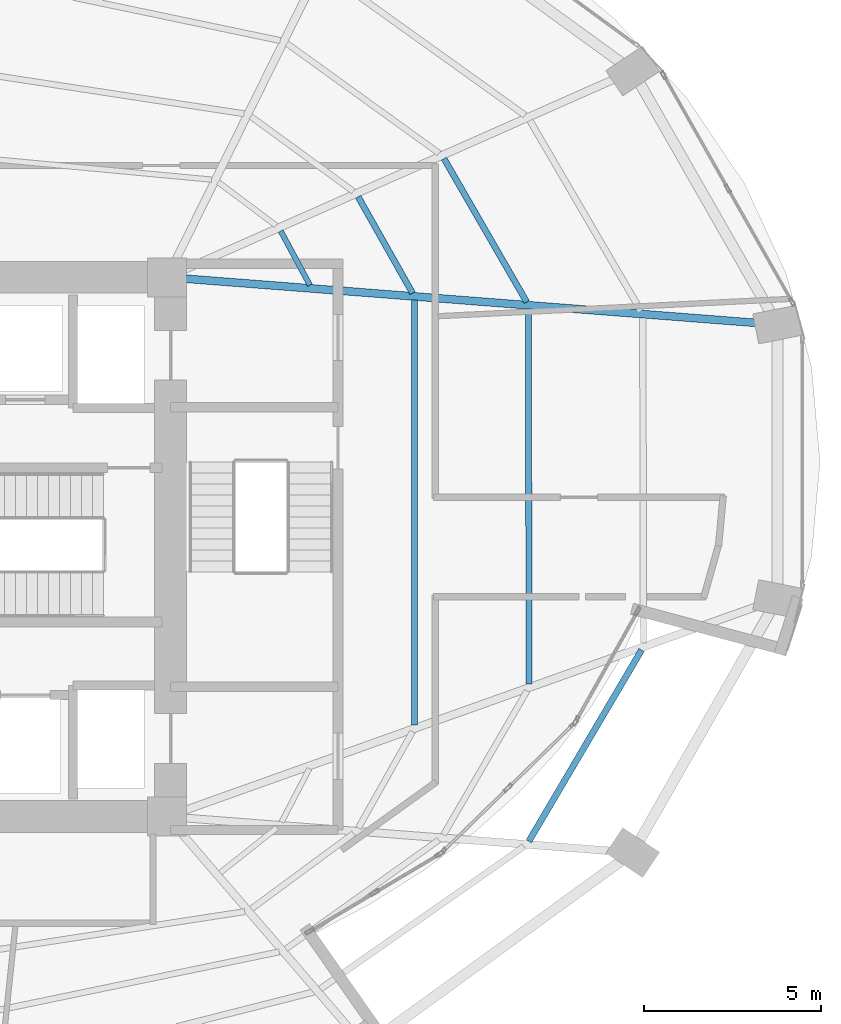
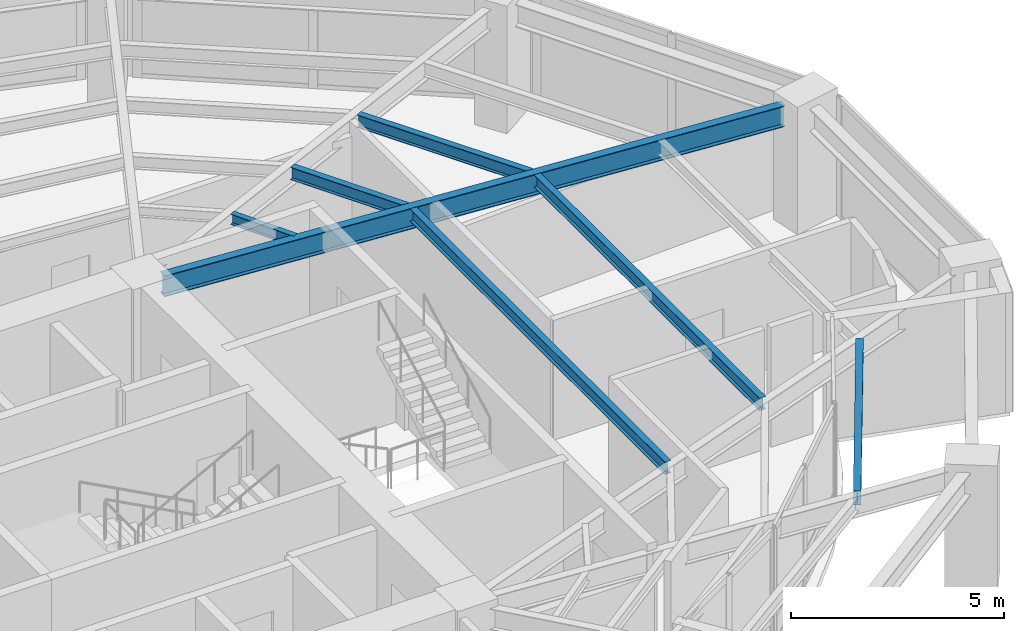
# One storey, part 11 of 24: 7 beams.
"""IFC4 building model written with IfcOpenShell, lengths in metres."""

from ifc_helpers import new_model, si_unit, direction, frame, origin, origin_2d, place, context, subcontext, project, spatial, i_section, extrude, material, material_profile, profile_set, type_object, element, save


model = new_model("IFC4")

# Units and contexts
model_context = context("Model", 3, precision=1e-05, world=origin(), true_north=direction((0.0, 1.0)))
body_context = subcontext(model_context, "Body", "Model", "MODEL_VIEW")
ifc_project = project(units=[si_unit("LENGTHUNIT", "METRE"), si_unit("AREAUNIT", "SQUARE_METRE"), si_unit("VOLUMEUNIT", "CUBIC_METRE"), si_unit("PLANEANGLEUNIT", "RADIAN"), si_unit("MASSUNIT", "GRAM", prefix="KILO")], contexts=[model_context])

# Site, building, storey
site_placement = place(None, origin())
site = spatial("IfcSite", under=ifc_project, at=site_placement, CompositionType="ELEMENT")
building_placement = place(site_placement, origin())
building = spatial("IfcBuilding", under=site, at=building_placement, Name="Lazwardi Medical Tower", CompositionType="ELEMENT")
storey_placement = place(building_placement, frame((0.0, 0.0, 65.327880859375)))
storey = spatial("IfcBuildingStorey", under=building, at=storey_placement, Name="L16", CompositionType="ELEMENT", Elevation=65.327880859375)

# Beams
ifc_material = material(Name="Steel S355", Category="steel")
ifc_material_profile_1 = material_profile(ifc_material, i_section(OverallWidth=0.219970703125, OverallDepth=0.60009765625, WebThickness=0.011962890625, FlangeThickness=0.01904296875, at=origin_2d()), Name="IPE 600")
ifc_profile_set_1 = profile_set([ifc_material_profile_1], Name="Steel S355")
beam_type_1 = type_object("IfcBeamType", Name="BM-RG-W1", PredefinedType="BEAM", material=ifc_profile_set_1)
beam_1_placement = place(storey_placement, frame((62.2216796875, 34.3125, 3.128173828125), z_axis=(-0.997013942066, 0.077221754231, 0.0), x_axis=(-0.077221754231, -0.997013942066, 0.0)))
element("IfcBeam", 1, at=beam_1_placement, inside=storey, type_object=beam_type_1, Name="Radial girder RG-02 R05 L16", PredefinedType="BEAM", context=body_context, shape_type="SweptSolid", body=[
    extrude(i_section(OverallWidth=0.219970703125, OverallDepth=0.60009765625, WebThickness=0.011962890625, FlangeThickness=0.01904296875, at=origin_2d()), origin(), (0.0, 0.0, 1.0), 16.136474609375),
])
ifc_material_profile_2 = material_profile(ifc_material, i_section(OverallWidth=0.179931640625, OverallDepth=0.39990234375, WebThickness=0.008544921875, FlangeThickness=0.013427734375, at=origin_2d()), Name="IPE 400")
ifc_profile_set_2 = profile_set([ifc_material_profile_2], Name="Steel S355")
beam_type_2 = type_object("IfcBeamType", Name="BM-SJ-01", PredefinedType="JOIST", material=ifc_profile_set_2)
beam_2_placement = place(storey_placement, frame((55.793212890625, 19.70654296875, 3.22802734375), z_axis=(0.507886270937, 0.861424132349, 0.0), x_axis=(-0.861424132349, 0.507886270937, 0.0)))
element("IfcBeam", 2, at=beam_2_placement, inside=storey, type_object=beam_type_2, Name="Secondary joist SJ-01 R1 B03 L16", PredefinedType="JOIST", context=body_context, shape_type="SweptSolid", body=[
    extrude(i_section(OverallWidth=0.179931640625, OverallDepth=0.39990234375, WebThickness=0.008544921875, FlangeThickness=0.013427734375, at=origin_2d()), origin(), (0.0, 0.0, 1.0), 6.255859375),
])
ifc_material_profile_3 = material_profile(ifc_material, i_section(OverallWidth=0.169921875, OverallDepth=0.360107421875, WebThickness=0.008056640625, FlangeThickness=0.0126953125, at=origin_2d()), Name="IPE 360")
ifc_profile_set_3 = profile_set([ifc_material_profile_3], Name="Steel S355")
beam_type_3 = type_object("IfcBeamType", Name="BM-SJ-02", PredefinedType="JOIST", material=ifc_profile_set_3)
beam_3_placement = place(storey_placement, frame((55.793701171875, 24.139404296875, 3.248046875), z_axis=(-0.000670039821, 0.999999775523, 0.0), x_axis=(-0.999999775523, -0.000670039821, 0.0)))
element("IfcBeam", 3, at=beam_3_placement, inside=storey, type_object=beam_type_3, Name="Secondary joist SJ-02 R2 B04 L16", PredefinedType="JOIST", context=body_context, shape_type="SweptSolid", body=[
    extrude(i_section(OverallWidth=0.169921875, OverallDepth=0.360107421875, WebThickness=0.008056640625, FlangeThickness=0.0126953125, at=origin_2d()), origin(), (0.0, 0.0, 1.0), 10.566650390625),
])
beam_4_placement = place(storey_placement, frame((55.73388671875, 34.90185546875, 3.248046875), z_axis=(-0.499785866494, 0.866148998529, 0.0), x_axis=(-0.866148998529, -0.499785866494, 0.0)))
element("IfcBeam", 4, at=beam_4_placement, inside=storey, type_object=beam_type_3, Name="Secondary joist SJ-02 R2 B05 L16", PredefinedType="JOIST", context=body_context, shape_type="SweptSolid", body=[
    extrude(i_section(OverallWidth=0.169921875, OverallDepth=0.360107421875, WebThickness=0.008056640625, FlangeThickness=0.0126953125, at=origin_2d()), origin(), (0.0, 0.0, 1.0), 4.666015625),
])
beam_5_placement = place(storey_placement, frame((52.56396484375, 22.98779296875, 3.248046875), z_axis=(0.000387612685, 0.999999924878, 0.0), x_axis=(-0.999999924878, 0.000387612685, 0.0)))
element("IfcBeam", 5, at=beam_5_placement, inside=storey, type_object=beam_type_3, Name="Secondary joist SJ-02 R3 B04 L16", PredefinedType="JOIST", context=body_context, shape_type="SweptSolid", body=[
    extrude(i_section(OverallWidth=0.169921875, OverallDepth=0.360107421875, WebThickness=0.008056640625, FlangeThickness=0.0126953125, at=origin_2d()), origin(), (0.0, 0.0, 1.0), 11.96728515625),
])
beam_6_placement = place(storey_placement, frame((52.51708984375, 35.151611328125, 3.248046875), z_axis=(-0.491923287977, 0.870638546554, 0.0), x_axis=(-0.870638546554, -0.491923287977, 0.0)))
element("IfcBeam", 6, at=beam_6_placement, inside=storey, type_object=beam_type_3, Name="Secondary joist SJ-02 R3 B05 L16", PredefinedType="JOIST", context=body_context, shape_type="SweptSolid", body=[
    extrude(i_section(OverallWidth=0.169921875, OverallDepth=0.360107421875, WebThickness=0.008056640625, FlangeThickness=0.0126953125, at=origin_2d()), origin(), (0.0, 0.0, 1.0), 3.122802734375),
])
ifc_material_profile_4 = material_profile(ifc_material, i_section(OverallWidth=0.14990234375, OverallDepth=0.300048828125, WebThickness=0.007080078125, FlangeThickness=0.0107421875, at=origin_2d()), Name="IPE 300")
ifc_profile_set_4 = profile_set([ifc_material_profile_4], Name="Steel S355")
beam_type_4 = type_object("IfcBeamType", Name="BM-SJ-03", PredefinedType="JOIST", material=ifc_profile_set_4)
beam_7_placement = place(storey_placement, frame((49.623046875, 35.376953125, 3.278076171875), z_axis=(-0.473982292828, 0.880534375301, 0.0), x_axis=(-0.880534375301, -0.473982292828, 0.0)))
element("IfcBeam", 7, at=beam_7_placement, inside=storey, type_object=beam_type_4, Name="Secondary joist SJ-03 R4 B05 L16", PredefinedType="JOIST", context=body_context, shape_type="SweptSolid", body=[
    extrude(i_section(OverallWidth=0.14990234375, OverallDepth=0.300048828125, WebThickness=0.007080078125, FlangeThickness=0.0107421875, at=origin_2d()), origin(), (0.0, 0.0, 1.0), 1.734375),
])

save(model, "model.ifc")
